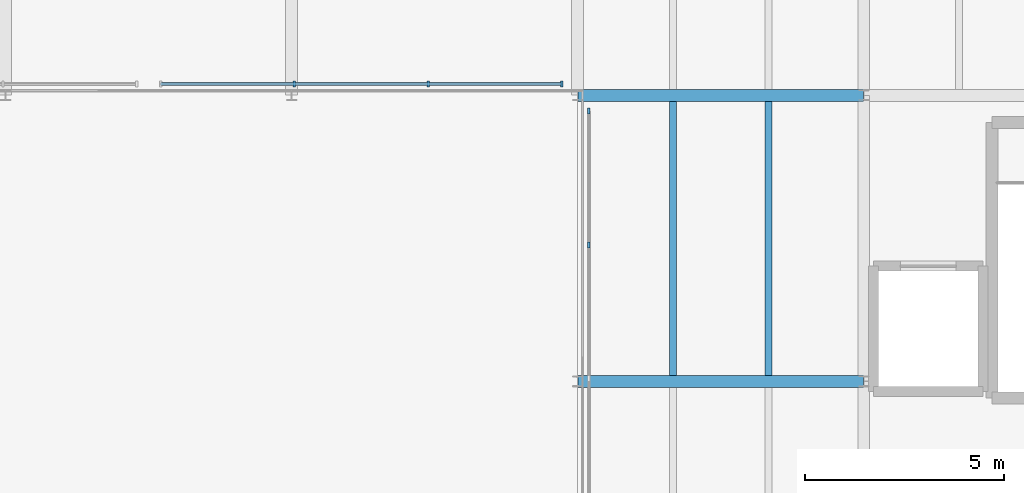
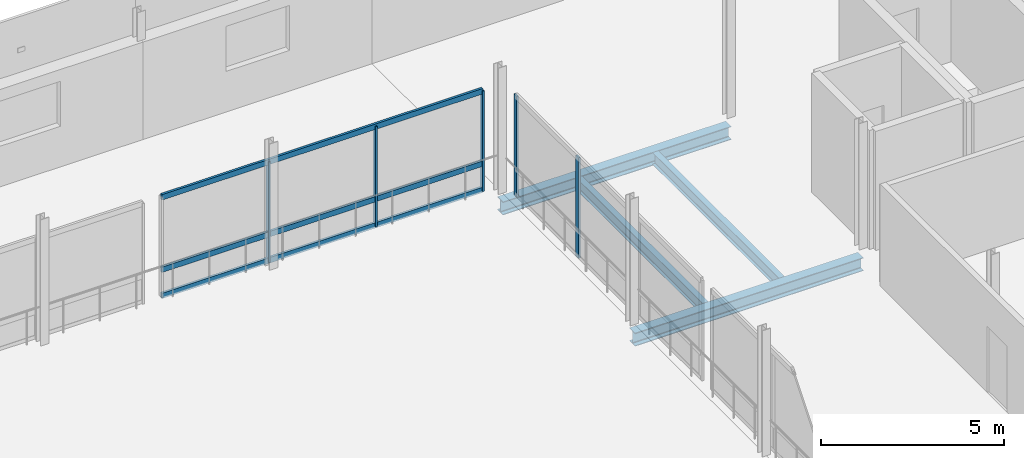
# One storey, part 41 of 115: 8 members, 4 beams, 2 elements without a shape of their own.
"""IFC4 building model written with IfcOpenShell, lengths in metres."""

from ifc_helpers import new_model, si_unit, direction, frame, origin, origin_2d, place, context, subcontext, project, spatial, rectangle, i_section, extrude, material, layer, layer_set, material_profile, profile_set, type_object, element, aggregate, save


model = new_model("IFC4")

# Units and contexts
model_context = context("Model", 3, precision=1e-05, world=origin(), true_north=direction((0.0, 1.0)))
body_context = subcontext(model_context, "Body", "Model", "MODEL_VIEW")
ifc_project = project(units=[si_unit("LENGTHUNIT", "METRE"), si_unit("AREAUNIT", "SQUARE_METRE"), si_unit("VOLUMEUNIT", "CUBIC_METRE"), si_unit("PLANEANGLEUNIT", "RADIAN"), si_unit("MASSUNIT", "GRAM", prefix="KILO")], contexts=[model_context])

# Site, building, storey
site_placement = place(None, origin())
site = spatial("IfcSite", under=ifc_project, at=site_placement, CompositionType="ELEMENT")
building_placement = place(site_placement, origin())
building = spatial("IfcBuilding", under=site, at=building_placement, Name="Narikvali Park Central Library", CompositionType="ELEMENT")
storey_placement = place(building_placement, frame((0.0, 0.0, 10.199951171875)))
storey = spatial("IfcBuildingStorey", under=building, at=storey_placement, Name="L02", CompositionType="ELEMENT", Elevation=10.199951171875)

# Beams
ifc_material_1 = material(Name="Steel S355", Category="steel")
ifc_material_profile_1 = material_profile(ifc_material_1, i_section(OverallWidth=0.179931640625, OverallDepth=0.39990234375, WebThickness=0.008544921875, FlangeThickness=0.013427734375, FilletRadius=0.02099609375, at=origin_2d()), Name="IPE 400")
ifc_profile_set_1 = profile_set([ifc_material_profile_1], Name="Steel S355")
beam_type_1 = type_object("IfcBeamType", Name="Composite Floor Joist IPE400", PredefinedType="JOIST", material=ifc_profile_set_1)
for number, where, z_axis, x_axis, name in (
    (1, (153.60009765625, 100.949951171875, -0.47998046875), (0.0, 1.0, 0.0), (-1.0, 0.0, 0.0), "V3 L02 Composite Joist 1"),
    (2, (156.0, 100.949951171875, -0.47998046875), (0.0, 1.0, 0.0), (-1.0, 0.0, 0.0), "V3 L02 Composite Joist 2"),
):
    element("IfcBeam", number, at=place(storey_placement, frame(where, z_axis=z_axis, x_axis=x_axis)), inside=storey, type_object=beam_type_1, Name=name, PredefinedType="JOIST", context=body_context, shape_type="SweptSolid", body=[
        extrude(i_section(OverallWidth=0.179931640625, OverallDepth=0.39990234375, WebThickness=0.008544921875, FlangeThickness=0.013427734375, FilletRadius=0.02099609375, at=origin_2d()), origin(), (0.0, 0.0, 1.0), 6.900146484375),
    ])

# Curtain wall, members
ifc_material_2 = material(Name="Anodised Bronze Aluminium", Category="aluminium")
ifc_layer = layer(ifc_material_2, 0.219970703125, Name="Anodised Bronze Aluminium")
ifc_layer_set = layer_set([ifc_layer], Name="Anodised Bronze Aluminium")
curtain_wall_type = type_object("IfcCurtainWallType", Name="Atrium Tall Curtain Wall System", PredefinedType="NOTDEFINED", material=ifc_layer_set)
curtain_wall_1_placement = place(storey_placement, origin())
curtain_wall_1 = element("IfcCurtainWall", 3, at=curtain_wall_1_placement, inside=storey, type_object=curtain_wall_type, Name="Atrium Tall Curtain Wall System CW-INT-V3-L02-N2", PredefinedType="NOTDEFINED")
ifc_material_profile_2 = material_profile(ifc_material_2, rectangle(XDim=0.074951171875, YDim=0.179931640625, at=origin_2d()), Name="CW TRANSOM 75x180")
ifc_profile_set_2 = profile_set([ifc_material_profile_2], Name="Anodised Bronze Aluminium")
member_type_1 = type_object("IfcMemberType", Name="Curtain Wall Heavy Transom 75x180", PredefinedType="USERDEFINED", material=ifc_profile_set_2)
member_1_placement = place(storey_placement, frame((140.699951171875, 108.280029296875, 0.030029296875), z_axis=(1.0, 0.0, 0.0), x_axis=(0.0, 1.0, 0.0)))
member_1 = element("IfcMember", 4, at=member_1_placement, type_object=member_type_1, Name="CW-INT-V3-L02-N2 Transom 00", ObjectType="TRANSOM", PredefinedType="USERDEFINED", context=body_context, shape_type="SweptSolid", body=[
    extrude(rectangle(XDim=0.074951171875, YDim=0.179931640625, at=origin_2d()), origin(), (0.0, 0.0, 1.0), 10.10009765625),
])
member_2_placement = place(storey_placement, frame((140.699951171875, 108.280029296875, 0.900146484375), z_axis=(1.0, 0.0, 0.0), x_axis=(0.0, 1.0, 0.0)))
member_2 = element("IfcMember", 5, at=member_2_placement, type_object=member_type_1, Name="CW-INT-V3-L02-N2 Transom 01", ObjectType="TRANSOM", PredefinedType="USERDEFINED", context=body_context, shape_type="SweptSolid", body=[
    extrude(rectangle(XDim=0.074951171875, YDim=0.179931640625, at=origin_2d()), origin(), (0.0, 0.0, 1.0), 10.10009765625),
])
member_3_placement = place(storey_placement, frame((140.699951171875, 108.280029296875, 3.31005859375), z_axis=(1.0, 0.0, 0.0), x_axis=(0.0, 1.0, 0.0)))
member_3 = element("IfcMember", 6, at=member_3_placement, type_object=member_type_1, Name="CW-INT-V3-L02-N2 Transom 02", ObjectType="TRANSOM", PredefinedType="USERDEFINED", context=body_context, shape_type="SweptSolid", body=[
    extrude(rectangle(XDim=0.074951171875, YDim=0.179931640625, at=origin_2d()), origin(), (0.0, 0.0, 1.0), 10.10009765625),
])

curtain_wall_2_placement = place(storey_placement, origin())
curtain_wall_2 = element("IfcCurtainWall", 7, at=curtain_wall_2_placement, inside=storey, type_object=curtain_wall_type, Name="Atrium Tall Curtain Wall System CW-INT-V3-L02-E2", PredefinedType="NOTDEFINED")
ifc_material_profile_3 = material_profile(ifc_material_2, rectangle(XDim=0.06005859375, YDim=0.14990234375, at=origin_2d()), Name="CW MULLION 60x150")
ifc_profile_set_3 = profile_set([ifc_material_profile_3], Name="Anodised Bronze Aluminium")
member_type_2 = type_object("IfcMemberType", Name="Curtain Wall Mullion 60x150", PredefinedType="MULLION", material=ifc_profile_set_3)
member_4_placement = place(storey_placement, frame((151.47998046875, 104.2333984375, -0.010009765625), z_axis=(0.0, 0.0, 1.0), x_axis=(1.0, 0.0, 0.0)))
member_4 = element("IfcMember", 8, at=member_4_placement, type_object=member_type_2, Name="CW-INT-V3-L02-E2 Mullion 02", PredefinedType="MULLION", context=body_context, shape_type="SweptSolid", body=[
    extrude(rectangle(XDim=0.06005859375, YDim=0.14990234375, at=origin_2d()), origin(), (0.0, 0.0, 1.0), 3.35009765625),
])
member_5_placement = place(storey_placement, frame((151.47998046875, 107.60009765625, -0.010009765625), z_axis=(0.0, 0.0, 1.0), x_axis=(1.0, 0.0, 0.0)))
member_5 = element("IfcMember", 9, at=member_5_placement, type_object=member_type_2, Name="CW-INT-V3-L02-E2 Mullion 03", PredefinedType="MULLION", context=body_context, shape_type="SweptSolid", body=[
    extrude(rectangle(XDim=0.06005859375, YDim=0.14990234375, at=origin_2d()), origin(), (0.0, 0.0, 1.0), 3.35009765625),
])
aggregate(curtain_wall_2, [member_4, member_5])

# Member
member_6_placement = place(storey_placement, frame((144.066650390625, 108.280029296875, -0.010009765625), z_axis=(0.0, 0.0, 1.0), x_axis=(1.0, 0.0, 0.0)))
member_6 = element("IfcMember", 10, at=member_6_placement, type_object=member_type_2, Name="CW-INT-V3-L02-N2 Mullion 01", PredefinedType="MULLION", context=body_context, shape_type="SweptSolid", body=[
    extrude(rectangle(XDim=0.06005859375, YDim=0.14990234375, at=origin_2d()), origin(), (0.0, 0.0, 1.0), 3.35009765625),
])

member_7_placement = place(storey_placement, frame((147.433349609375, 108.280029296875, -0.010009765625), z_axis=(0.0, 0.0, 1.0), x_axis=(1.0, 0.0, 0.0)))
member_7 = element("IfcMember", 11, at=member_7_placement, type_object=member_type_2, Name="CW-INT-V3-L02-N2 Mullion 02", PredefinedType="MULLION", context=body_context, shape_type="SweptSolid", body=[
    extrude(rectangle(XDim=0.06005859375, YDim=0.14990234375, at=origin_2d()), origin(), (0.0, 0.0, 1.0), 3.35009765625),
])

member_8_placement = place(storey_placement, frame((150.800048828125, 108.280029296875, -0.010009765625), z_axis=(0.0, 0.0, 1.0), x_axis=(1.0, 0.0, 0.0)))
member_8 = element("IfcMember", 12, at=member_8_placement, type_object=member_type_2, Name="CW-INT-V3-L02-N2 Mullion 03", PredefinedType="MULLION", context=body_context, shape_type="SweptSolid", body=[
    extrude(rectangle(XDim=0.06005859375, YDim=0.14990234375, at=origin_2d()), origin(), (0.0, 0.0, 1.0), 3.35009765625),
])

aggregate(curtain_wall_1, [member_6, member_7, member_8, member_1, member_2, member_3])

# Beams
ifc_material_profile_4 = material_profile(ifc_material_1, i_section(OverallWidth=0.300048828125, OverallDepth=0.43994140625, WebThickness=0.011474609375, FlangeThickness=0.02099609375, FilletRadius=0.027099609375, at=origin_2d()), Name="HEA 450")
ifc_profile_set_4 = profile_set([ifc_material_profile_4], Name="Steel S355")
beam_type_2 = type_object("IfcBeamType", Name="Primary Girder HEA450", PredefinedType="BEAM", material=ifc_profile_set_4)
for number, where, z_axis, x_axis, name in (
    (13, (151.2080078125, 100.800048828125, -0.5), (1.0, 0.0, 0.0), (0.0, 1.0, 0.0), "V3 L02 Girder X"),
    (14, (151.2080078125, 108.0, -0.5), (1.0, 0.0, 0.0), (0.0, 1.0, 0.0), "V3 L02 Girder X"),
):
    element("IfcBeam", number, at=place(storey_placement, frame(where, z_axis=z_axis, x_axis=x_axis)), inside=storey, type_object=beam_type_2, Name=name, PredefinedType="BEAM", context=body_context, shape_type="SweptSolid", body=[
        extrude(i_section(OverallWidth=0.300048828125, OverallDepth=0.43994140625, WebThickness=0.011474609375, FlangeThickness=0.02099609375, FilletRadius=0.027099609375, at=origin_2d()), origin(), (0.0, 0.0, 1.0), 7.18408203125),
    ])

save(model, "model.ifc")
